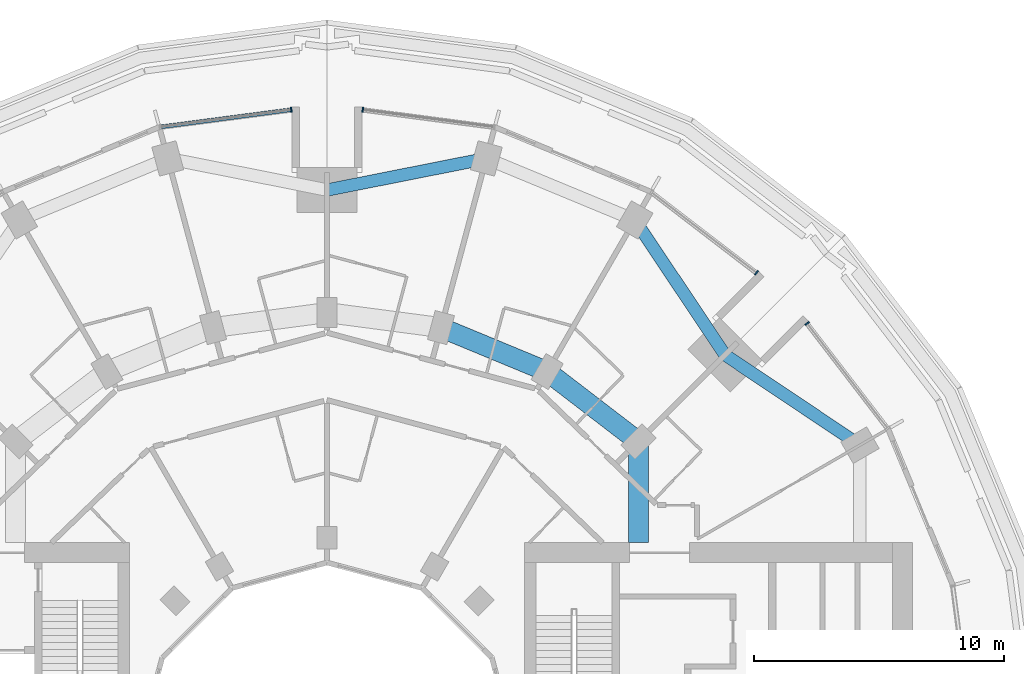
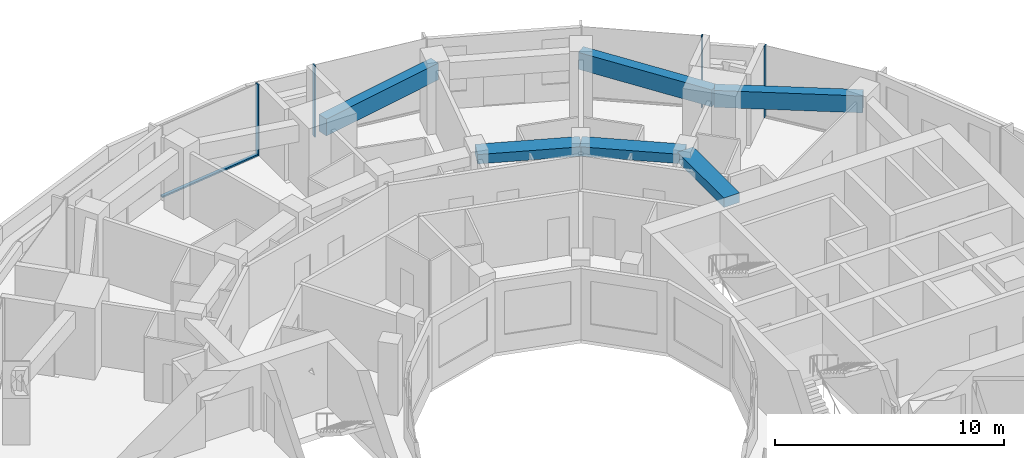
# One storey, part 6 of 19: 6 beams, 5 members, 4 elements without a shape of their own.
"""IFC4 building model written with IfcOpenShell, lengths in metres."""

import ifcopenshell
import ifcopenshell.guid

model = None  # the IFC model being written
_history = None  # IfcOwnerHistory: only IFC2X3 demands one
_inside = {}  # id of a spatial element -> (the spatial element, [elements in it])
_under = {}  # id of a project, library or spatial element -> (it, [spatial elements below it])
_declared = {}  # id of a project -> (the project, [libraries it declares])
_typed = {}  # id of a type object -> (the type object, [elements of that type])
_made_of = {}  # id of a material, layer set ... -> (it, [elements and type objects made of it])


def new_model(schema):
    """Start an empty IFC model of exactly this schema.

    Asked for "IFC4X3", IfcOpenShell would pick the latest addendum, in which some entities
    have other attributes; the version numbers below select the first issue.
    IFC2X3 requires an IfcOwnerHistory on every rooted entity: one is made here for all.
    """
    global model, _history
    if schema == "IFC4X3":
        model = ifcopenshell.file(schema_version=(4, 3, 0, 0))
    else:
        model = ifcopenshell.file(schema=schema)
    _inside.clear()
    _under.clear()
    _declared.clear()
    _typed.clear()
    _made_of.clear()
    _history = None
    if model.schema == "IFC2X3":
        org = make("IfcOrganization", Name="unknown")
        user = make(
            "IfcPersonAndOrganization",
            ThePerson=make("IfcPerson", FamilyName="unknown"),
            TheOrganization=org,
        )
        app = make(
            "IfcApplication",
            ApplicationDeveloper=org,
            Version="unknown",
            ApplicationFullName="unknown",
            ApplicationIdentifier="unknown",
        )
        _history = make(
            "IfcOwnerHistory",
            OwningUser=user,
            OwningApplication=app,
            ChangeAction="ADDED",
            CreationDate=0,
        )
    return model


def make(cls, **values):
    """One entity of the class cls with the attributes given. An attribute that is None is left unset."""
    return model.create_entity(
        cls, **{name: value for name, value in values.items() if value is not None}
    )


def rooted(cls, **values):
    """An entity with a GlobalId (a new one), such as an element, a storey or a relation."""
    return make(cls, GlobalId=ifcopenshell.guid.new(), OwnerHistory=_history, **values)


def si_unit(unit_type, name, prefix=None):
    """IfcSIUnit, for example si_unit("LENGTHUNIT", "METRE", prefix="MILLI")."""
    return make("IfcSIUnit", UnitType=unit_type, Prefix=prefix, Name=name)


def assignment(units):
    """IfcUnitAssignment: the units of a project."""
    return None if units is None else make("IfcUnitAssignment", Units=units)


def point(xyz):
    """IfcCartesianPoint."""
    return None if xyz is None else make("IfcCartesianPoint", Coordinates=xyz)


def direction(xyz):
    """IfcDirection."""
    return None if xyz is None else make("IfcDirection", DirectionRatios=xyz)


def frame(location, z_axis=None, x_axis=None):
    """IfcAxis2Placement3D, a coordinate frame: its origin and axes. An axis left out is left unset."""
    return make(
        "IfcAxis2Placement3D",
        Location=point(location),
        Axis=direction(z_axis),
        RefDirection=direction(x_axis),
    )


def frame_2d(location, x_axis=None):
    """IfcAxis2Placement2D, a coordinate frame in the plane: its origin and x axis."""
    return make(
        "IfcAxis2Placement2D", Location=point(location), RefDirection=direction(x_axis)
    )


def origin():
    """The frame at (0, 0, 0) with its axes left unset."""
    return frame((0.0, 0.0, 0.0))


def origin_2d():
    """The frame at (0, 0) in the plane with its x axis left unset."""
    return frame_2d((0.0, 0.0))


def place(relative_to, where):
    """IfcLocalPlacement: puts the frame where relative to a parent placement (None: the world)."""
    return make(
        "IfcLocalPlacement", PlacementRelTo=relative_to, RelativePlacement=where
    )


def context(
    kind, dimensions, precision=None, world=None, true_north=None, identifier=None
):
    """IfcGeometricRepresentationContext, for example the 3D "Model" context."""
    return make(
        "IfcGeometricRepresentationContext",
        ContextIdentifier=identifier,
        ContextType=kind,
        CoordinateSpaceDimension=dimensions,
        Precision=precision,
        WorldCoordinateSystem=world,
        TrueNorth=true_north,
    )


def subcontext(parent, identifier, kind, view, scale=None):
    """IfcGeometricRepresentationSubContext, for example "Body" below "Model"."""
    return make(
        "IfcGeometricRepresentationSubContext",
        ContextIdentifier=identifier,
        ContextType=kind,
        ParentContext=parent,
        TargetScale=scale,
        TargetView=view,
    )


def project(units=None, contexts=None):
    """IfcProject with its units and contexts."""
    return rooted(
        "IfcProject",
        Name="project",
        RepresentationContexts=contexts,
        UnitsInContext=assignment(units),
    )


def spatial(cls, under=None, at=None, **own):
    """A site, building, storey or space (cls), placed at a placement, below another one or the project."""
    s = rooted(cls, ObjectPlacement=at, **own)
    if under is not None:
        _under.setdefault(under.id(), (under, []))[1].append(s)
    return s


def profile(cls, at=None, kind="AREA", **sizes):
    """A parametric profile (cls). Its sizes go by their IFC names, for example OverallWidth=200.0."""
    return make(cls, ProfileType=kind, Position=at, **sizes)


def rectangle(**sizes):
    """IfcRectangleProfileDef."""
    return profile("IfcRectangleProfileDef", **sizes)


def extrude(swept, where, along, depth):
    """IfcExtrudedAreaSolid: the profile swept, set in the frame where, extruded along a direction by depth."""
    return make(
        "IfcExtrudedAreaSolid",
        SweptArea=swept,
        Position=where,
        ExtrudedDirection=direction(along),
        Depth=depth,
    )


def shape(context_of_items, identifier, shape_type, items):
    """IfcShapeRepresentation: the items that make up one representation, for example the "Body"."""
    return make(
        "IfcShapeRepresentation",
        ContextOfItems=context_of_items,
        RepresentationIdentifier=identifier,
        RepresentationType=shape_type,
        Items=items,
    )


def material(Name=None, Category=None):
    """IfcMaterial."""
    return make("IfcMaterial", Name=Name, Category=Category)


def layer(
    of_material, thickness, ventilated=None, Name=None, Category=None, Priority=None
):
    """IfcMaterialLayer: one layer of a wall or slab, of a material (None: an air gap)."""
    return make(
        "IfcMaterialLayer",
        Material=of_material,
        LayerThickness=thickness,
        IsVentilated=ventilated,
        Name=Name,
        Category=Category,
        Priority=Priority,
    )


def layer_set(layers, Name=None):
    """IfcMaterialLayerSet."""
    return make("IfcMaterialLayerSet", MaterialLayers=layers, LayerSetName=Name)


def material_profile(
    of_material, cross_section, Name=None, Category=None, Priority=None
):
    """IfcMaterialProfile: a cross section and its material."""
    return make(
        "IfcMaterialProfile",
        Name=Name,
        Material=of_material,
        Profile=cross_section,
        Priority=Priority,
        Category=Category,
    )


def profile_set(profiles, Name=None, composite=None):
    """IfcMaterialProfileSet."""
    return make(
        "IfcMaterialProfileSet",
        Name=Name,
        MaterialProfiles=profiles,
        CompositeProfile=composite,
    )


def made_of(thing, what):
    """Note that an element or type object is made of a material, layer set ...; save() writes the relation."""
    if what is not None:
        _made_of.setdefault(what.id(), (what, []))[1].append(thing)
    return thing


def type_object(cls, material=None, **own):
    """A type object (cls), such as IfcWallType, which elements share."""
    return made_of(rooted(cls, **own), material)


def element(
    cls,
    number,
    at=None,
    inside=None,
    cuts=None,
    type_object=None,
    material=None,
    context=None,
    identifier="Body",
    shape_type=None,
    held_by="IfcProductDefinitionShape",
    body=None,
    shapes=None,
    **own,
):
    """One element of the class cls, such as IfcWall. Its Tag is "e" and its number.

    at: its placement. inside: the storey or other place that contains it. cuts: it is an
    opening in that element (IfcRelVoidsElement). A single representation is given by context,
    identifier, shape_type and body (its items); several are given by shapes. held_by: the class
    of the entity that holds the representations. save() writes the other relations.
    """
    e = rooted(cls, Tag="e%d" % number, ObjectPlacement=at, **own)
    if body is not None:
        shapes = [shape(context, identifier, shape_type, body)]
    if shapes is not None:
        e.Representation = make(held_by, Representations=shapes)
    if inside is not None:
        _inside.setdefault(inside.id(), (inside, []))[1].append(e)
    if cuts is not None:
        rooted(
            "IfcRelVoidsElement", RelatingBuildingElement=cuts, RelatedOpeningElement=e
        )
    if type_object is not None:
        _typed.setdefault(type_object.id(), (type_object, []))[1].append(e)
    return made_of(e, material)


def aggregate(whole, parts):
    """IfcRelAggregates: a whole, such as a stair, and the parts it consists of."""
    return rooted("IfcRelAggregates", RelatingObject=whole, RelatedObjects=parts)


def save(model, path):
    """Write the relations noted so far, then the file.

    IfcRelAggregates (storeys below a building ...), IfcRelContainedInSpatialStructure (elements
    in a storey), IfcRelDefinesByType, IfcRelAssociatesMaterial and IfcRelDeclares: one each for
    every whole, place, type object, material and project.
    """
    for whole, parts in _under.values():
        aggregate(whole, parts)
    for where, things in _inside.values():
        rooted(
            "IfcRelContainedInSpatialStructure",
            RelatedElements=things,
            RelatingStructure=where,
        )
    for kind, things in _typed.values():
        rooted("IfcRelDefinesByType", RelatedObjects=things, RelatingType=kind)
    for what, things in _made_of.values():
        rooted("IfcRelAssociatesMaterial", RelatedObjects=things, RelatingMaterial=what)
    for by, libraries in _declared.values():
        rooted("IfcRelDeclares", RelatingContext=by, RelatedDefinitions=libraries)
    model.write(path)


model = new_model("IFC4")

# Units and contexts
model_context = context("Model", 3, precision=1e-05, world=origin(), true_north=direction((0.0, 1.0)))
body_context = subcontext(model_context, "Body", "Model", "MODEL_VIEW")
ifc_project = project(units=[si_unit("LENGTHUNIT", "METRE"), si_unit("AREAUNIT", "SQUARE_METRE"), si_unit("VOLUMEUNIT", "CUBIC_METRE"), si_unit("PLANEANGLEUNIT", "RADIAN"), si_unit("MASSUNIT", "GRAM", prefix="KILO")], contexts=[model_context])

# Site, building, storey
site_placement = place(None, origin())
site = spatial("IfcSite", under=ifc_project, at=site_placement, CompositionType="ELEMENT")
building_placement = place(site_placement, origin())
building = spatial("IfcBuilding", under=site, at=building_placement, Name="Torre Brocal", CompositionType="ELEMENT")
storey_placement = place(building_placement, frame((0.0, 0.0, 28.800048828125)))
storey = spatial("IfcBuildingStorey", under=building, at=storey_placement, Name="L05", CompositionType="ELEMENT", Elevation=28.800048828125)

# Curtain wall, member
ifc_material_1 = material(Name="Aluminium and glass", Category="aluminium")
ifc_layer = layer(ifc_material_1, 0.199951171875)
ifc_layer_set = layer_set([ifc_layer], Name="Aluminium and glass")
curtain_wall_type = type_object("IfcCurtainWallType", Name="CW-1 CURTAIN WALL 3800 HIGH", PredefinedType="NOTDEFINED", material=ifc_layer_set)
curtain_wall_1_placement = place(storey_placement, origin())
curtain_wall_1 = element("IfcCurtainWall", 1, at=curtain_wall_1_placement, inside=storey, type_object=curtain_wall_type, Name="CW-1 RUN 3", PredefinedType="NOTDEFINED")
ifc_material_2 = material(Name="Aluminium, dark anodised", Category="aluminium")
ifc_material_profile_1 = material_profile(ifc_material_2, rectangle(XDim=0.199951171875, YDim=0.06005859375, at=origin_2d()), Name="CW-1 MULLION 60X200")
ifc_profile_set_1 = profile_set([ifc_material_profile_1], Name="Aluminium, dark anodised")
member_type_1 = type_object("IfcMemberType", Name="CW-1 MULLION 60X200", PredefinedType="MULLION", material=ifc_profile_set_1)
member_1_placement = place(storey_placement, frame((99.19140625, 92.16943359375, 0.0), z_axis=(0.0, 0.0, 1.0), x_axis=(-0.793353340259, -0.60876142905, 0.0)))
member_1 = element("IfcMember", 2, at=member_1_placement, type_object=member_type_1, Name="CW1-1 mullion 2", PredefinedType="MULLION", context=body_context, shape_type="SweptSolid", body=[
    extrude(rectangle(XDim=0.199951171875, YDim=0.06005859375, at=origin_2d()), origin(), (0.0, 0.0, 1.0), 3.800048828125),
])
aggregate(curtain_wall_1, [member_1])

curtain_wall_2_placement = place(storey_placement, origin())
curtain_wall_2 = element("IfcCurtainWall", 3, at=curtain_wall_2_placement, inside=storey, type_object=curtain_wall_type, Name="CW-1 RUN 4", PredefinedType="NOTDEFINED")
member_2_placement = place(storey_placement, frame((97.16943359375, 94.19140625, 0.0), z_axis=(0.0, 0.0, 1.0), x_axis=(-0.60876142905, -0.793353340259, 0.0)))
member_2 = element("IfcMember", 4, at=member_2_placement, type_object=member_type_1, Name="CW1-1 mullion 1", PredefinedType="MULLION", context=body_context, shape_type="SweptSolid", body=[
    extrude(rectangle(XDim=0.199951171875, YDim=0.06005859375, at=origin_2d()), origin(), (0.0, 0.0, 1.0), 3.800048828125),
])
aggregate(curtain_wall_2, [member_2])

curtain_wall_3_placement = place(storey_placement, origin())
curtain_wall_3 = element("IfcCurtainWall", 5, at=curtain_wall_3_placement, inside=storey, type_object=curtain_wall_type, Name="CW-1 RUN 6", PredefinedType="NOTDEFINED")
member_3_placement = place(storey_placement, frame((81.4296875, 100.7109375, 0.0), z_axis=(0.0, 0.0, 1.0), x_axis=(-0.13052619222, -0.991444861374, 0.0)))
member_3 = element("IfcMember", 6, at=member_3_placement, type_object=member_type_1, Name="CW1-1 mullion 2", PredefinedType="MULLION", context=body_context, shape_type="SweptSolid", body=[
    extrude(rectangle(XDim=0.199951171875, YDim=0.06005859375, at=origin_2d()), origin(), (0.0, 0.0, 1.0), 3.800048828125),
])
aggregate(curtain_wall_3, [member_3])

# Curtain wall, members
curtain_wall_4_placement = place(storey_placement, origin())
curtain_wall_4 = element("IfcCurtainWall", 7, at=curtain_wall_4_placement, inside=storey, type_object=curtain_wall_type, Name="CW-1 RUN 7", PredefinedType="NOTDEFINED")
member_4_placement = place(storey_placement, frame((78.5703125, 100.7109375, 0.0), z_axis=(0.0, 0.0, 1.0), x_axis=(0.13052619222, -0.991444861374, 0.0)))
member_4 = element("IfcMember", 8, at=member_4_placement, type_object=member_type_1, Name="CW1-1 mullion 1", PredefinedType="MULLION", context=body_context, shape_type="SweptSolid", body=[
    extrude(rectangle(XDim=0.199951171875, YDim=0.06005859375, at=origin_2d()), origin(), (0.0, 0.0, 1.0), 3.800048828125),
])
ifc_material_3 = material(Name="Aluminium, dark anodised", Category="aluminium")
ifc_material_profile_2 = material_profile(ifc_material_3, rectangle(XDim=0.159912109375, YDim=0.080078125, at=origin_2d()), Name="CW-1 TRANSOM 160X80")
ifc_profile_set_2 = profile_set([ifc_material_profile_2], Name="Aluminium, dark anodised")
member_type_2 = type_object("IfcMemberType", Name="CW-1 TRANSOM 160X80", PredefinedType="USERDEFINED", material=ifc_profile_set_2)
member_5_placement = place(storey_placement, frame((78.54052734375, 100.70703125, 0.0400390625), z_axis=(-0.991442690863, -0.130542677827, 0.0), x_axis=(0.130542677827, -0.991442690863, 0.0)))
member_5 = element("IfcMember", 9, at=member_5_placement, type_object=member_type_2, Name="CW1-1 transom 1.1", ObjectType="TRANSOM", PredefinedType="USERDEFINED", context=body_context, shape_type="SweptSolid", body=[
    extrude(rectangle(XDim=0.159912109375, YDim=0.080078125, at=origin_2d()), origin(), (0.0, 0.0, 1.0), 5.22900390625),
])
aggregate(curtain_wall_4, [member_4, member_5])

# Beams
ifc_material_4 = material(Name="Concrete C50", Category="concrete")
ifc_material_profile_3 = material_profile(ifc_material_4, rectangle(XDim=0.800048828125, YDim=0.5, at=origin_2d()), Name="RC 800X500")
ifc_profile_set_3 = profile_set([ifc_material_profile_3], Name="Concrete C50")
beam_type_1 = type_object("IfcBeamType", Name="RC BEAM 800X500 C50 TOP 3480", PredefinedType="BEAM", material=ifc_profile_set_3)
beam_1_placement = place(storey_placement, frame((92.445068359375, 87.445068359375, 3.22998046875), z_axis=(-0.793358265959, 0.6087550097, 0.0), x_axis=(-0.6087550097, -0.793358265959, 0.0)))
element("IfcBeam", 10, at=beam_1_placement, inside=storey, type_object=beam_type_1, Name="Beam BT-19", PredefinedType="BEAM", context=body_context, shape_type="SweptSolid", body=[
    extrude(rectangle(XDim=0.800048828125, YDim=0.5, at=origin_2d()), origin(), (0.0, 0.0, 1.0), 4.594482421875),
])
beam_2_placement = place(storey_placement, frame((88.800048828125, 90.241943359375, 3.22998046875), z_axis=(-0.923878240166, 0.382686552348, 0.0), x_axis=(-0.382686552348, -0.923878240166, 0.0)))
element("IfcBeam", 11, at=beam_2_placement, inside=storey, type_object=beam_type_1, Name="Beam BT-19", PredefinedType="BEAM", context=body_context, shape_type="SweptSolid", body=[
    extrude(rectangle(XDim=0.800048828125, YDim=0.5, at=origin_2d()), origin(), (0.0, 0.0, 1.0), 4.5947265625),
])
beam_3_placement = place(storey_placement, frame((92.445068359375, 87.445068359375, 3.22998046875), z_axis=(0.0, -1.0, 0.0), x_axis=(1.0, 0.0, 0.0)))
element("IfcBeam", 12, at=beam_3_placement, inside=storey, type_object=beam_type_1, Name="Beam BT-19", PredefinedType="BEAM", context=body_context, shape_type="SweptSolid", body=[
    extrude(rectangle(XDim=0.800048828125, YDim=0.5, at=origin_2d()), origin(), (0.0, 0.0, 1.0), 4.045166015625),
])
ifc_material_5 = material(Name="Concrete C50", Category="concrete")
ifc_material_profile_4 = material_profile(ifc_material_5, rectangle(XDim=0.5, YDim=0.89990234375, at=origin_2d()), Name="RC 500X900")
ifc_profile_set_4 = profile_set([ifc_material_profile_4], Name="Concrete C50")
beam_type_2 = type_object("IfcBeamType", Name="RC SPANDREL BEAM 500X900 C50 TOP 3480", PredefinedType="SPANDREL", material=ifc_profile_set_4)
for number, where, z_axis, x_axis, name in (
    (13, (101.30419921875, 87.300048828125, 3.030029296875), (-0.831076844476, 0.556157602282, 0.0), (-0.556157602282, -0.831076844476, 0.0), "Beam BT-20"),
    (14, (95.909912109375, 90.909912109375, 3.030029296875), (-0.556157602282, 0.831076844476, 0.0), (-0.831076844476, -0.556157602282, 0.0), "Beam BT-20"),
    (15, (86.366943359375, 98.76171875, 3.030029296875), (-0.980924907484, -0.194387051723, 0.0), (0.194387051723, -0.980924907484, 0.0), "Beam BT-20"),
):
    element("IfcBeam", number, at=place(storey_placement, frame(where, z_axis=z_axis, x_axis=x_axis)), inside=storey, type_object=beam_type_2, Name=name, PredefinedType="SPANDREL", context=body_context, shape_type="SweptSolid", body=[
        extrude(rectangle(XDim=0.5, YDim=0.89990234375, at=origin_2d()), origin(), (0.0, 0.0, 1.0), 6.49072265625),
    ])

save(model, "model.ifc")
